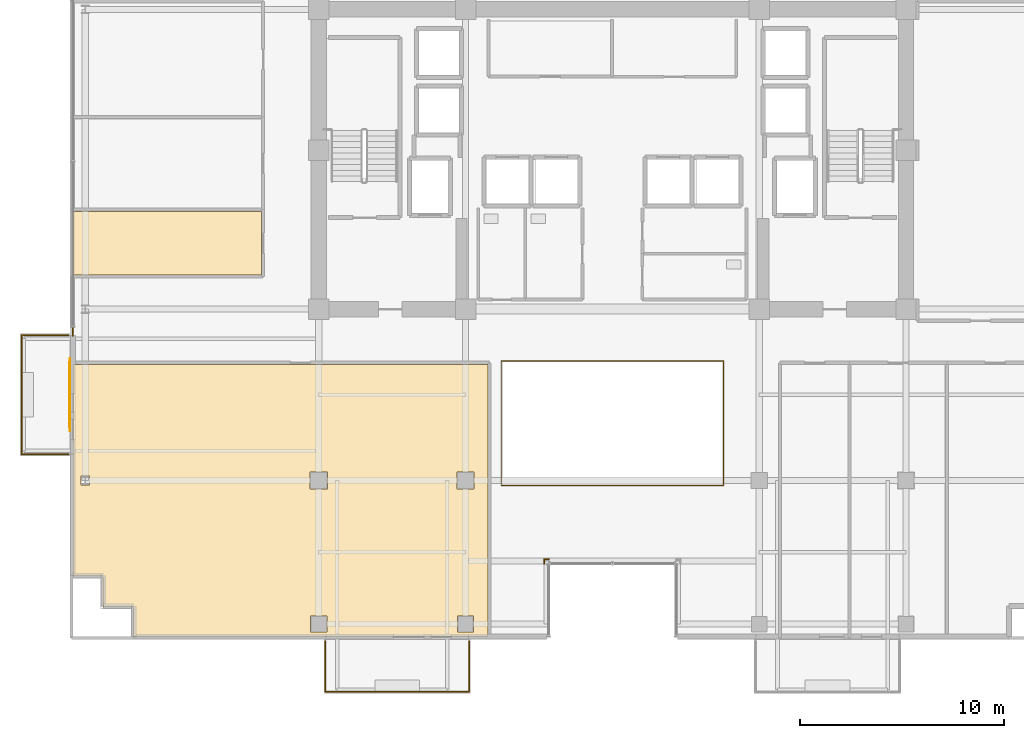
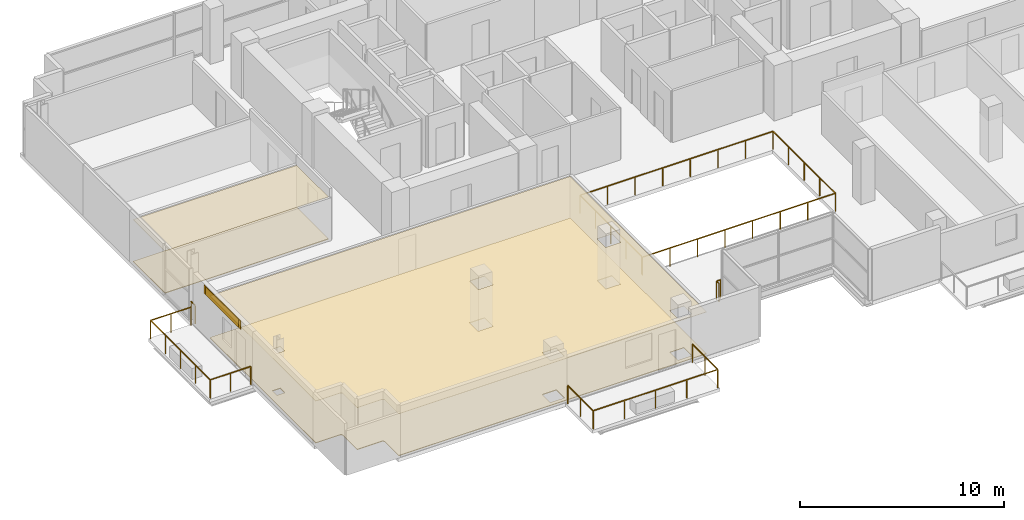
# One storey, part 18 of 21: 6 railings, 5 coverings, 1 shading device.
"""IFC4 building model written with IfcOpenShell, lengths in metres."""

from ifc_helpers import new_model, si_unit, direction, frame, origin, origin_2d, place, context, subcontext, project, spatial, polyline, rectangle, outline, extrude, source, transform, mapped, material, layer, layer_set, type_object, element, save


model = new_model("IFC4")

# Units and contexts
model_context = context("Model", 3, precision=1e-05, world=origin(), true_north=direction((0.0, 1.0)))
body_context = subcontext(model_context, "Body", "Model", "MODEL_VIEW")
ifc_project = project(units=[si_unit("LENGTHUNIT", "METRE"), si_unit("AREAUNIT", "SQUARE_METRE"), si_unit("VOLUMEUNIT", "CUBIC_METRE"), si_unit("PLANEANGLEUNIT", "RADIAN"), si_unit("MASSUNIT", "GRAM", prefix="KILO")], contexts=[model_context])

# Site, building, storey
site_placement = place(None, origin())
site = spatial("IfcSite", under=ifc_project, at=site_placement, CompositionType="ELEMENT")
building_placement = place(site_placement, origin())
building = spatial("IfcBuilding", under=site, at=building_placement, Name="Zarnakvel Exchange Tower", CompositionType="ELEMENT")
storey_placement = place(building_placement, frame((0.0, 0.0, 159.39990234375)))
storey = spatial("IfcBuildingStorey", under=building, at=storey_placement, Name="L44", CompositionType="ELEMENT", Elevation=159.39990234375)

# Coverings
ifc_material_1 = material(Name="Perforated Bronze Acoustic Metal Ceiling", Category="aluminium")
ifc_layer_1 = layer(ifc_material_1, 0.02001953125)
ifc_layer_set_1 = layer_set([ifc_layer_1], Name="Perforated Bronze Acoustic Metal Ceiling")
covering_type_1 = type_object("IfcCoveringType", Name="CLG-01", PredefinedType="CEILING", material=ifc_layer_set_1)
covering_1_placement = place(storey_placement, frame((0.0, 0.0, 2.505126953125)))
element("IfcCovering", 1, at=covering_1_placement, inside=storey, type_object=covering_type_1, Name="L44 Suspended Acoustic Ceiling (Institutional Dealing Room)", PredefinedType="CEILING", context=body_context, shape_type="SweptSolid", body=[
    extrude(outline(polyline([(-6.10009765625, -3.909912109375), (-6.10009765625, -17.25), (-23.47998046875, -17.25), (-23.47998046875, -15.89990234375), (-23.48046875, -15.88818359375), (-23.482421875, -15.876708984375), (-23.485107421875, -15.865234375), (-23.489013671875, -15.85400390625), (-23.494140625, -15.843505859375), (-23.500244140625, -15.833251953125), (-23.50732421875, -15.823974609375), (-23.51513671875, -15.815185546875), (-23.52392578125, -15.80712890625), (-23.533447265625, -15.80029296875), (-23.54345703125, -15.794189453125), (-23.55419921875, -15.7890625), (-23.565185546875, -15.78515625), (-23.57666015625, -15.7822265625), (-23.588134765625, -15.780517578125), (-23.60009765625, -15.780029296875), (-24.97998046875, -15.780029296875), (-24.97998046875, -14.39990234375), (-24.98046875, -14.38818359375), (-24.982421875, -14.376708984375), (-24.985107421875, -14.365234375), (-24.989013671875, -14.35400390625), (-24.994140625, -14.343505859375), (-25.000244140625, -14.333251953125), (-25.00732421875, -14.323974609375), (-25.01513671875, -14.315185546875), (-25.02392578125, -14.30712890625), (-25.033447265625, -14.30029296875), (-25.04345703125, -14.294189453125), (-25.05419921875, -14.2890625), (-25.065185546875, -14.28515625), (-25.07666015625, -14.2822265625), (-25.088134765625, -14.280517578125), (-25.10009765625, -14.280029296875), (-26.449951171875, -14.280029296875), (-26.449951171875, -3.909912109375), (-6.10009765625, -3.909912109375)]), holes=[polyline([(-6.780029296875, -10.02001953125), (-6.780029296875, -9.179931640625), (-7.6201171875, -9.179931640625), (-7.6201171875, -10.02001953125), (-6.780029296875, -10.02001953125)]), polyline([(-6.804931640625, -17.044921875), (-6.804931640625, -16.2548828125), (-7.594970703125, -16.2548828125), (-7.594970703125, -17.044921875), (-6.804931640625, -17.044921875)]), polyline([(-13.97998046875, -10.02001953125), (-13.97998046875, -9.179931640625), (-14.820068359375, -9.179931640625), (-14.820068359375, -10.02001953125), (-13.97998046875, -10.02001953125)]), polyline([(-14.0048828125, -16.2548828125), (-14.794921875, -16.2548828125), (-14.794921875, -17.044921875), (-14.0048828125, -17.044921875), (-14.0048828125, -16.2548828125)]), polyline([(-25.630615234375, -9.81689453125), (-25.630615234375, -9.38330078125), (-26.069580078125, -9.38330078125), (-26.069580078125, -9.81689453125), (-25.630615234375, -9.81689453125)])]), origin(), (0.0, 0.0, 1.0), 0.02001953125),
])
covering_2_placement = place(storey_placement, frame((0.0, 0.0, 2.505126953125)))
element("IfcCovering", 2, at=covering_2_placement, inside=storey, type_object=covering_type_1, Name="L44 Suspended Acoustic Ceiling (Breakout Pantry)", PredefinedType="CEILING", context=body_context, shape_type="SweptSolid", body=[
    extrude(outline(polyline([(-26.449951171875, 3.598388671875), (-17.2099609375, 3.598388671875), (-17.2099609375, 0.47119140625), (-26.449951171875, 0.47119140625), (-26.449951171875, 3.598388671875)])), origin(), (0.0, 0.0, 1.0), 0.02001953125),
])
ifc_material_2 = material(Name="Heavy-Duty Raised Access Floor Panel", Category="steel")
ifc_layer_2 = layer(ifc_material_2, 0.034912109375)
ifc_layer_set_2 = layer_set([ifc_layer_2], Name="Heavy-Duty Raised Access Floor Panel")
covering_type_2 = type_object("IfcCoveringType", Name="FLR-02", PredefinedType="FLOORING", material=ifc_layer_set_2)
covering_3_placement = place(storey_placement, origin())
element("IfcCovering", 3, at=covering_3_placement, inside=storey, type_object=covering_type_2, Name="L44 Floor Finish (Institutional Dealing Room)", PredefinedType="FLOORING", context=body_context, shape_type="SweptSolid", body=[
    extrude(outline(polyline([(-6.10009765625, -3.909912109375), (-6.10009765625, -17.25), (-23.47998046875, -17.25), (-23.47998046875, -15.89990234375), (-23.48046875, -15.88818359375), (-23.482421875, -15.876708984375), (-23.485107421875, -15.865234375), (-23.489013671875, -15.85400390625), (-23.494140625, -15.843505859375), (-23.500244140625, -15.833251953125), (-23.50732421875, -15.823974609375), (-23.51513671875, -15.815185546875), (-23.52392578125, -15.80712890625), (-23.533447265625, -15.80029296875), (-23.54345703125, -15.794189453125), (-23.55419921875, -15.7890625), (-23.565185546875, -15.78515625), (-23.57666015625, -15.7822265625), (-23.588134765625, -15.780517578125), (-23.60009765625, -15.780029296875), (-24.97998046875, -15.780029296875), (-24.97998046875, -14.39990234375), (-24.98046875, -14.38818359375), (-24.982421875, -14.376708984375), (-24.985107421875, -14.365234375), (-24.989013671875, -14.35400390625), (-24.994140625, -14.343505859375), (-25.000244140625, -14.333251953125), (-25.00732421875, -14.323974609375), (-25.01513671875, -14.315185546875), (-25.02392578125, -14.30712890625), (-25.033447265625, -14.30029296875), (-25.04345703125, -14.294189453125), (-25.05419921875, -14.2890625), (-25.065185546875, -14.28515625), (-25.07666015625, -14.2822265625), (-25.088134765625, -14.280517578125), (-25.10009765625, -14.280029296875), (-26.449951171875, -14.280029296875), (-26.449951171875, -3.909912109375), (-6.10009765625, -3.909912109375)]), holes=[polyline([(-6.780029296875, -10.02001953125), (-6.780029296875, -9.179931640625), (-7.6201171875, -9.179931640625), (-7.6201171875, -10.02001953125), (-6.780029296875, -10.02001953125)]), polyline([(-6.804931640625, -17.044921875), (-6.804931640625, -16.2548828125), (-7.594970703125, -16.2548828125), (-7.594970703125, -17.044921875), (-6.804931640625, -17.044921875)]), polyline([(-13.97998046875, -10.02001953125), (-13.97998046875, -9.179931640625), (-14.820068359375, -9.179931640625), (-14.820068359375, -10.02001953125), (-13.97998046875, -10.02001953125)]), polyline([(-14.0048828125, -16.2548828125), (-14.794921875, -16.2548828125), (-14.794921875, -17.044921875), (-14.0048828125, -17.044921875), (-14.0048828125, -16.2548828125)]), polyline([(-25.630615234375, -9.81689453125), (-25.630615234375, -9.38330078125), (-26.069580078125, -9.38330078125), (-26.069580078125, -9.81689453125), (-25.630615234375, -9.81689453125)])]), origin(), (0.0, 0.0, 1.0), 0.03515625),
])
covering_4_placement = place(storey_placement, origin())
element("IfcCovering", 4, at=covering_4_placement, inside=storey, type_object=covering_type_2, Name="L44 Floor Finish (Breakout Pantry)", PredefinedType="FLOORING", context=body_context, shape_type="SweptSolid", body=[
    extrude(outline(polyline([(-26.449951171875, 3.598388671875), (-17.2099609375, 3.598388671875), (-17.2099609375, 0.47119140625), (-26.449951171875, 0.47119140625), (-26.449951171875, 3.598388671875)])), origin(), (0.0, 0.0, 1.0), 0.03515625),
])

# Railings
ifc_material_3 = material(Name="Architectural Bronze Anodised Aluminium", Category="aluminium")
railing_type_1 = type_object("IfcRailingType", Name="GR-02", PredefinedType="GUARDRAIL", material=ifc_material_3)
railing_1_placement = place(storey_placement, frame((-14.070068359375, -17.47998046875, -0.034912109375)))
element("IfcRailing", 5, at=railing_1_placement, inside=storey, type_object=railing_type_1, Name="L44 Balcony Guardrail BAL-L44-SW", PredefinedType="GUARDRAIL", context=body_context, shape_type="SweptSolid", body=[
    extrude(rectangle(XDim=0.048095703125, YDim=0.048095703125, at=origin_2d()), frame((0.0, 0.0, 1.09619140625), z_axis=(0.0, -1.0, 0.0), x_axis=(1.0, 0.0, 0.0)), (0.0, 0.0, 1.0), 2.489990234375),
    extrude(rectangle(XDim=0.048095703125, YDim=0.048095703125, at=origin_2d()), frame((0.0, -2.489990234375, 1.09619140625), z_axis=(1.0, 0.0, 0.0), x_axis=(0.0, 1.0, 0.0)), (0.0, 0.0, 1.0), 7.0400390625),
    extrude(rectangle(XDim=0.048095703125, YDim=0.048095703125, at=origin_2d()), frame((7.0400390625, -2.489990234375, 1.09619140625), z_axis=(0.0, 1.0, 0.0), x_axis=(-1.0, 0.0, 0.0)), (0.0, 0.0, 1.0), 2.489990234375),
    extrude(rectangle(XDim=0.0419921875, YDim=0.0419921875, at=origin_2d()), origin(), (0.0, 0.0, 1.0), 1.072021484375),
    extrude(rectangle(XDim=0.0419921875, YDim=0.0419921875, at=origin_2d()), frame((0.0, -1.2451171875, 0.0)), (0.0, 0.0, 1.0), 1.072021484375),
    extrude(rectangle(XDim=0.0419921875, YDim=0.0419921875, at=origin_2d()), frame((0.0, -2.489990234375, 0.0)), (0.0, 0.0, 1.0), 1.072021484375),
    extrude(rectangle(XDim=0.0419921875, YDim=0.0419921875, at=origin_2d()), frame((1.760009765625, -2.489990234375, 0.0)), (0.0, 0.0, 1.0), 1.072021484375),
    extrude(rectangle(XDim=0.0419921875, YDim=0.0419921875, at=origin_2d()), frame((3.52001953125, -2.489990234375, 0.0)), (0.0, 0.0, 1.0), 1.072021484375),
    extrude(rectangle(XDim=0.0419921875, YDim=0.0419921875, at=origin_2d()), frame((5.280029296875, -2.489990234375, 0.0)), (0.0, 0.0, 1.0), 1.072021484375),
    extrude(rectangle(XDim=0.0419921875, YDim=0.0419921875, at=origin_2d()), frame((7.0400390625, -2.489990234375, 0.0)), (0.0, 0.0, 1.0), 1.072021484375),
    extrude(rectangle(XDim=0.0419921875, YDim=0.0419921875, at=origin_2d()), frame((7.0400390625, -1.2451171875, 0.0)), (0.0, 0.0, 1.0), 1.072021484375),
    extrude(rectangle(XDim=0.0419921875, YDim=0.0419921875, at=origin_2d()), frame((7.0400390625, 0.0, 0.0)), (0.0, 0.0, 1.0), 1.072021484375),
])
railing_2_placement = place(storey_placement, frame((-26.679931640625, -8.320068359375, -0.034912109375)))
element("IfcRailing", 6, at=railing_2_placement, inside=storey, type_object=railing_type_1, Name="L44 Balcony Guardrail BAL-L44-W", PredefinedType="GUARDRAIL", context=body_context, shape_type="SweptSolid", body=[
    extrude(rectangle(XDim=0.048095703125, YDim=0.048095703125, at=origin_2d()), frame((0.0, 0.0, 1.09619140625), z_axis=(-1.0, 0.0, 0.0), x_axis=(0.0, -1.0, 0.0)), (0.0, 0.0, 1.0), 2.2900390625),
    extrude(rectangle(XDim=0.048095703125, YDim=0.048095703125, at=origin_2d()), frame((-2.2900390625, 0.0, 1.09619140625), z_axis=(0.0, 1.0, 0.0), x_axis=(-1.0, 0.0, 0.0)), (0.0, 0.0, 1.0), 5.840087890625),
    extrude(rectangle(XDim=0.048095703125, YDim=0.048095703125, at=origin_2d()), frame((-2.2900390625, 5.840087890625, 1.09619140625), z_axis=(1.0, 0.0, 0.0), x_axis=(0.0, 1.0, 0.0)), (0.0, 0.0, 1.0), 2.2900390625),
    extrude(rectangle(XDim=0.0419921875, YDim=0.0419921875, at=origin_2d()), origin(), (0.0, 0.0, 1.0), 1.072021484375),
    extrude(rectangle(XDim=0.0419921875, YDim=0.0419921875, at=origin_2d()), frame((-1.14501953125, 0.0, 0.0)), (0.0, 0.0, 1.0), 1.072021484375),
    extrude(rectangle(XDim=0.0419921875, YDim=0.0419921875, at=origin_2d()), frame((-2.2900390625, 0.0, 0.0)), (0.0, 0.0, 1.0), 1.072021484375),
    extrude(rectangle(XDim=0.0419921875, YDim=0.0419921875, at=origin_2d()), frame((-2.2900390625, 1.4599609375, 0.0)), (0.0, 0.0, 1.0), 1.072021484375),
    extrude(rectangle(XDim=0.0419921875, YDim=0.0419921875, at=origin_2d()), frame((-2.2900390625, 2.919921875, 0.0)), (0.0, 0.0, 1.0), 1.072021484375),
    extrude(rectangle(XDim=0.0419921875, YDim=0.0419921875, at=origin_2d()), frame((-2.2900390625, 4.380126953125, 0.0)), (0.0, 0.0, 1.0), 1.072021484375),
    extrude(rectangle(XDim=0.0419921875, YDim=0.0419921875, at=origin_2d()), frame((-2.2900390625, 5.840087890625, 0.0)), (0.0, 0.0, 1.0), 1.072021484375),
    extrude(rectangle(XDim=0.0419921875, YDim=0.0419921875, at=origin_2d()), frame((-1.14501953125, 5.840087890625, 0.0)), (0.0, 0.0, 1.0), 1.072021484375),
    extrude(rectangle(XDim=0.0419921875, YDim=0.0419921875, at=origin_2d()), frame((0.0, 5.840087890625, 0.0)), (0.0, 0.0, 1.0), 1.072021484375),
])
railing_3_placement = place(storey_placement, frame((-26.4599609375, -2.5, 0.0)))
element("IfcRailing", 7, at=railing_3_placement, inside=storey, type_object=railing_type_1, Name="L44 Corner Spandrel Balustrade #2", PredefinedType="GUARDRAIL", context=body_context, shape_type="SweptSolid", body=[
    extrude(rectangle(XDim=0.048095703125, YDim=0.048095703125, at=origin_2d()), frame((0.0, 0.0, 1.09619140625), z_axis=(0.0, 1.0, 0.0), x_axis=(-1.0, 0.0, 0.0)), (0.0, 0.0, 1.0), 0.39990234375),
    extrude(rectangle(XDim=0.0419921875, YDim=0.0419921875, at=origin_2d()), origin(), (0.0, 0.0, 1.0), 1.072021484375),
    extrude(rectangle(XDim=0.0419921875, YDim=0.0419921875, at=origin_2d()), frame((0.0, 0.39990234375, 0.0)), (0.0, 0.0, 1.0), 1.072021484375),
])
railing_4_placement = place(storey_placement, frame((-3.1201171875, -13.4599609375, 0.0)))
element("IfcRailing", 8, at=railing_4_placement, inside=storey, type_object=railing_type_1, Name="L44 Corner Spandrel Balustrade #19", PredefinedType="GUARDRAIL", context=body_context, shape_type="SweptSolid", body=[
    extrude(rectangle(XDim=0.048095703125, YDim=0.048095703125, at=origin_2d()), frame((0.0, 0.0, 1.09619140625), z_axis=(-1.0, 0.0, 0.0), x_axis=(0.0, -1.0, 0.0)), (0.0, 0.0, 1.0), 0.219970703125),
    extrude(rectangle(XDim=0.0419921875, YDim=0.0419921875, at=origin_2d()), origin(), (0.0, 0.0, 1.0), 1.072021484375),
    extrude(rectangle(XDim=0.0419921875, YDim=0.0419921875, at=origin_2d()), frame((-0.219970703125, 0.0, 0.0)), (0.0, 0.0, 1.0), 1.072021484375),
])
railing_5_placement = place(storey_placement, frame((-3.340087890625, -13.4599609375, 0.0)))
element("IfcRailing", 9, at=railing_5_placement, inside=storey, type_object=railing_type_1, Name="L44 Corner Spandrel Balustrade #20", PredefinedType="GUARDRAIL", context=body_context, shape_type="SweptSolid", body=[
    extrude(rectangle(XDim=0.048095703125, YDim=0.048095703125, at=origin_2d()), frame((0.0, 0.0, 1.09619140625), z_axis=(0.0, -1.0, 0.0), x_axis=(1.0, 0.0, 0.0)), (0.0, 0.0, 1.0), 0.219970703125),
    extrude(rectangle(XDim=0.0419921875, YDim=0.0419921875, at=origin_2d()), origin(), (0.0, 0.0, 1.0), 1.072021484375),
    extrude(rectangle(XDim=0.0419921875, YDim=0.0419921875, at=origin_2d()), frame((0.0, -0.219970703125, 0.0)), (0.0, 0.0, 1.0), 1.072021484375),
])
railing_type_2 = type_object("IfcRailingType", Name="GR-03", PredefinedType="GUARDRAIL", material=ifc_material_3)
railing_6_placement = place(storey_placement, frame((-5.449951171875, -9.85009765625, 0.0)))
element("IfcRailing", 10, at=railing_6_placement, inside=storey, type_object=railing_type_2, Name="L44 Atrium Void Perimeter Balustrade", PredefinedType="GUARDRAIL", context=body_context, shape_type="SweptSolid", body=[
    extrude(rectangle(XDim=0.048095703125, YDim=0.048095703125, at=origin_2d()), frame((0.0, 0.0, 1.076171875), z_axis=(1.0, 0.0, 0.0), x_axis=(0.0, 1.0, 0.0)), (0.0, 0.0, 1.0), 10.89990234375),
    extrude(rectangle(XDim=0.048095703125, YDim=0.048095703125, at=origin_2d()), frame((10.89990234375, 0.0, 1.076171875), z_axis=(0.0, 1.0, 0.0), x_axis=(-1.0, 0.0, 0.0)), (0.0, 0.0, 1.0), 6.10009765625),
    extrude(rectangle(XDim=0.048095703125, YDim=0.048095703125, at=origin_2d()), frame((10.89990234375, 6.10009765625, 1.076171875), z_axis=(-1.0, 0.0, 0.0), x_axis=(0.0, -1.0, 0.0)), (0.0, 0.0, 1.0), 10.89990234375),
    extrude(rectangle(XDim=0.048095703125, YDim=0.048095703125, at=origin_2d()), frame((0.0, 6.10009765625, 1.076171875), z_axis=(0.0, -1.0, 0.0), x_axis=(1.0, 0.0, 0.0)), (0.0, 0.0, 1.0), 6.02001953125),
    extrude(rectangle(XDim=0.0419921875, YDim=0.0419921875, at=origin_2d()), origin(), (0.0, 0.0, 1.0), 1.052001953125),
    extrude(rectangle(XDim=0.0419921875, YDim=0.0419921875, at=origin_2d()), frame((1.55712890625, 0.0, 0.0)), (0.0, 0.0, 1.0), 1.052001953125),
    extrude(rectangle(XDim=0.0419921875, YDim=0.0419921875, at=origin_2d()), frame((3.1142578125, 0.0, 0.0)), (0.0, 0.0, 1.0), 1.052001953125),
    extrude(rectangle(XDim=0.0419921875, YDim=0.0419921875, at=origin_2d()), frame((4.67138671875, 0.0, 0.0)), (0.0, 0.0, 1.0), 1.052001953125),
    extrude(rectangle(XDim=0.0419921875, YDim=0.0419921875, at=origin_2d()), frame((6.228515625, 0.0, 0.0)), (0.0, 0.0, 1.0), 1.052001953125),
    extrude(rectangle(XDim=0.0419921875, YDim=0.0419921875, at=origin_2d()), frame((7.78564453125, 0.0, 0.0)), (0.0, 0.0, 1.0), 1.052001953125),
    extrude(rectangle(XDim=0.0419921875, YDim=0.0419921875, at=origin_2d()), frame((9.3427734375, 0.0, 0.0)), (0.0, 0.0, 1.0), 1.052001953125),
    extrude(rectangle(XDim=0.0419921875, YDim=0.0419921875, at=origin_2d()), frame((10.89990234375, 0.0, 0.0)), (0.0, 0.0, 1.0), 1.052001953125),
    extrude(rectangle(XDim=0.0419921875, YDim=0.0419921875, at=origin_2d()), frame((10.89990234375, 1.52490234375, 0.0)), (0.0, 0.0, 1.0), 1.052001953125),
    extrude(rectangle(XDim=0.0419921875, YDim=0.0419921875, at=origin_2d()), frame((10.89990234375, 3.050048828125, 0.0)), (0.0, 0.0, 1.0), 1.052001953125),
    extrude(rectangle(XDim=0.0419921875, YDim=0.0419921875, at=origin_2d()), frame((10.89990234375, 4.5751953125, 0.0)), (0.0, 0.0, 1.0), 1.052001953125),
    extrude(rectangle(XDim=0.0419921875, YDim=0.0419921875, at=origin_2d()), frame((10.89990234375, 6.10009765625, 0.0)), (0.0, 0.0, 1.0), 1.052001953125),
    extrude(rectangle(XDim=0.0419921875, YDim=0.0419921875, at=origin_2d()), frame((9.3427734375, 6.10009765625, 0.0)), (0.0, 0.0, 1.0), 1.052001953125),
    extrude(rectangle(XDim=0.0419921875, YDim=0.0419921875, at=origin_2d()), frame((7.78564453125, 6.10009765625, 0.0)), (0.0, 0.0, 1.0), 1.052001953125),
    extrude(rectangle(XDim=0.0419921875, YDim=0.0419921875, at=origin_2d()), frame((6.228515625, 6.10009765625, 0.0)), (0.0, 0.0, 1.0), 1.052001953125),
    extrude(rectangle(XDim=0.0419921875, YDim=0.0419921875, at=origin_2d()), frame((4.67138671875, 6.10009765625, 0.0)), (0.0, 0.0, 1.0), 1.052001953125),
    extrude(rectangle(XDim=0.0419921875, YDim=0.0419921875, at=origin_2d()), frame((3.1142578125, 6.10009765625, 0.0)), (0.0, 0.0, 1.0), 1.052001953125),
    extrude(rectangle(XDim=0.0419921875, YDim=0.0419921875, at=origin_2d()), frame((1.55712890625, 6.10009765625, 0.0)), (0.0, 0.0, 1.0), 1.052001953125),
    extrude(rectangle(XDim=0.0419921875, YDim=0.0419921875, at=origin_2d()), frame((0.0, 6.10009765625, 0.0)), (0.0, 0.0, 1.0), 1.052001953125),
    extrude(rectangle(XDim=0.0419921875, YDim=0.0419921875, at=origin_2d()), frame((0.0, 4.59521484375, 0.0)), (0.0, 0.0, 1.0), 1.052001953125),
    extrude(rectangle(XDim=0.0419921875, YDim=0.0419921875, at=origin_2d()), frame((0.0, 3.090087890625, 0.0)), (0.0, 0.0, 1.0), 1.052001953125),
    extrude(rectangle(XDim=0.0419921875, YDim=0.0419921875, at=origin_2d()), frame((0.0, 1.5849609375, 0.0)), (0.0, 0.0, 1.0), 1.052001953125),
    extrude(rectangle(XDim=0.0419921875, YDim=0.0419921875, at=origin_2d()), frame((0.0, 0.080078125, 0.0)), (0.0, 0.0, 1.0), 1.052001953125),
])

# Covering
ifc_material_4 = material(Name="Warm Sandstone Terracotta Spandrel Tile", Category="masonry")
ifc_layer_3 = layer(ifc_material_4, 0.031982421875)
ifc_layer_set_3 = layer_set([ifc_layer_3], Name="Warm Sandstone Terracotta Spandrel Tile")
covering_type_3 = type_object("IfcCoveringType", Name="CL-02", PredefinedType="CLADDING", material=ifc_layer_set_3)
shared_shape_1 = source(origin(), body_context, "Body", "SweptSolid", [
    extrude(rectangle(XDim=3.60009765625, YDim=0.031982421875, at=origin_2d()), origin(), (0.0, 0.0, 1.0), 0.4951171875),
])
covering_5_placement = place(storey_placement, frame((-26.593994140625, -5.39990234375, 2.56005859375), z_axis=(0.0, 0.0, 1.0), x_axis=(0.0, 1.0, 0.0)))
element("IfcCovering", 11, at=covering_5_placement, inside=storey, type_object=covering_type_3, Name="L44 Ceramic Spandrel Tilework CL-02", PredefinedType="CLADDING", context=body_context, shape_type="MappedRepresentation", body=[
    mapped(shared_shape_1, transform((0.0, 0.0, 0.0), x_axis=(1.0, 0.0, 0.0), y_axis=(0.0, 1.0, 0.0), z_axis=(0.0, 0.0, 1.0), scale=1.0)),
])

# Shading device
ifc_material_5 = material(Name="Perforated Architectural Bronze Screen", Category="aluminium")
ifc_layer_4 = layer(ifc_material_5, 0.044921875)
ifc_layer_set_4 = layer_set([ifc_layer_4], Name="Perforated Architectural Bronze Screen")
shading_device_type = type_object("IfcShadingDeviceType", Name="SS-01", PredefinedType="JALOUSIE", material=ifc_layer_set_4)
shared_shape_2 = source(origin(), body_context, "Body", "SweptSolid", [
    extrude(rectangle(XDim=3.199951171875, YDim=0.044921875, at=origin_2d()), origin(), (0.0, 0.0, 1.0), 0.4951171875),
])
shading_device_placement = place(storey_placement, frame((-26.6005859375, -5.39990234375, 2.56005859375), z_axis=(0.0, 0.0, 1.0), x_axis=(0.0, 1.0, 0.0)))
element("IfcShadingDevice", 12, at=shading_device_placement, inside=storey, type_object=shading_device_type, Name="L44 Bronze Solar Shading Screen SS-01", PredefinedType="JALOUSIE", context=body_context, shape_type="MappedRepresentation", body=[
    mapped(shared_shape_2, transform((0.0, 0.0, 0.0), x_axis=(1.0, 0.0, 0.0), y_axis=(0.0, 1.0, 0.0), z_axis=(0.0, 0.0, 1.0), scale=1.0)),
])

save(model, "model.ifc")
